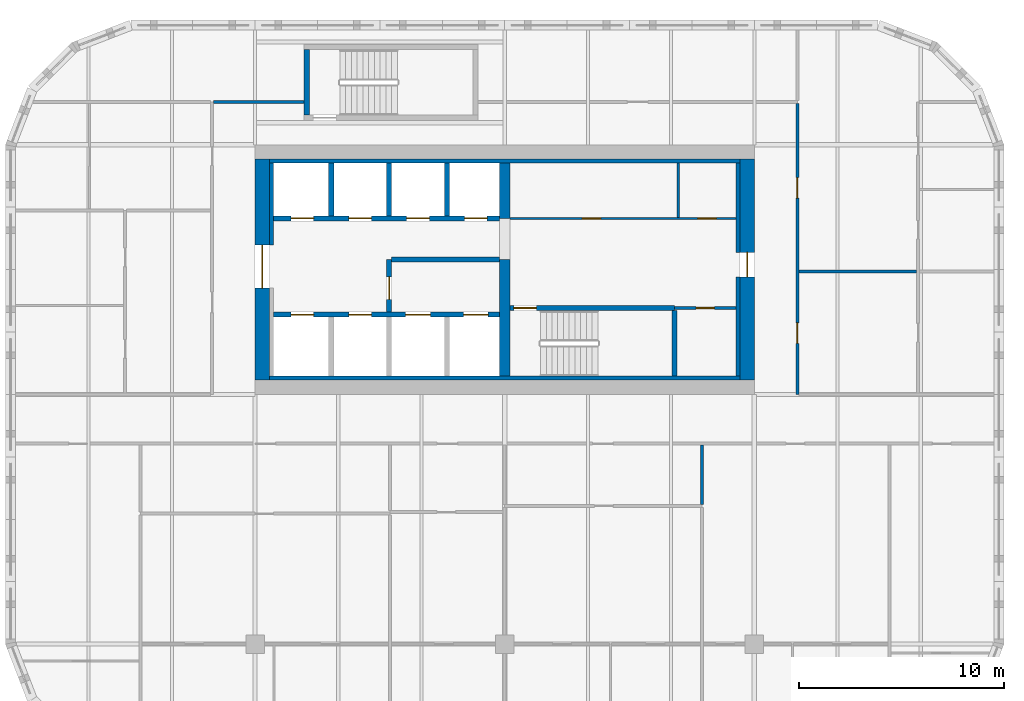
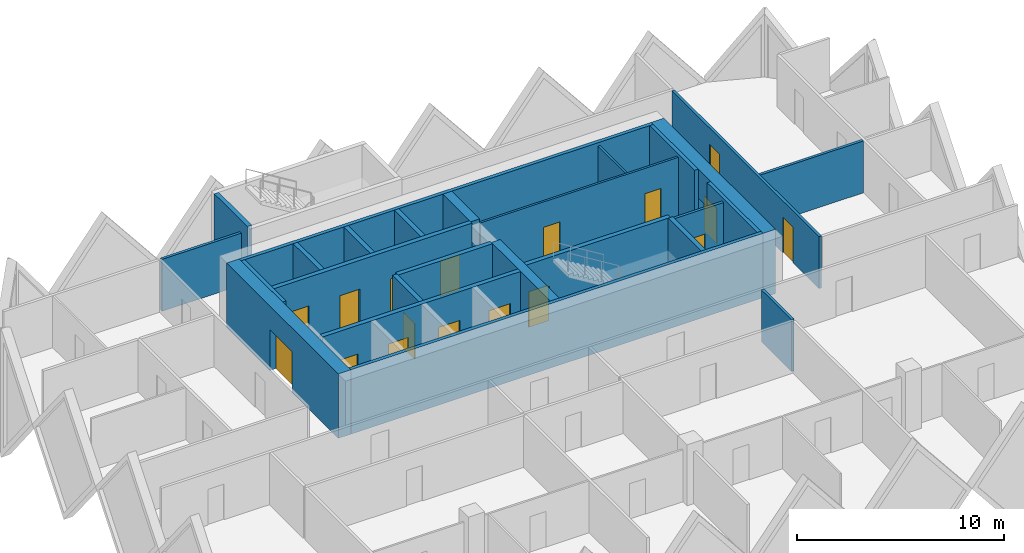
# One storey, part 14 of 19: 26 walls, 17 doors, 17 openings.
"""IFC4 building model written with IfcOpenShell, lengths in metres."""

import ifcopenshell
import ifcopenshell.guid

model = None  # the IFC model being written
_history = None  # IfcOwnerHistory: only IFC2X3 demands one
_inside = {}  # id of a spatial element -> (the spatial element, [elements in it])
_under = {}  # id of a project, library or spatial element -> (it, [spatial elements below it])
_declared = {}  # id of a project -> (the project, [libraries it declares])
_typed = {}  # id of a type object -> (the type object, [elements of that type])
_made_of = {}  # id of a material, layer set ... -> (it, [elements and type objects made of it])


def new_model(schema):
    """Start an empty IFC model of exactly this schema.

    Asked for "IFC4X3", IfcOpenShell would pick the latest addendum, in which some entities
    have other attributes; the version numbers below select the first issue.
    IFC2X3 requires an IfcOwnerHistory on every rooted entity: one is made here for all.
    """
    global model, _history
    if schema == "IFC4X3":
        model = ifcopenshell.file(schema_version=(4, 3, 0, 0))
    else:
        model = ifcopenshell.file(schema=schema)
    _inside.clear()
    _under.clear()
    _declared.clear()
    _typed.clear()
    _made_of.clear()
    _history = None
    if model.schema == "IFC2X3":
        org = make("IfcOrganization", Name="unknown")
        user = make(
            "IfcPersonAndOrganization",
            ThePerson=make("IfcPerson", FamilyName="unknown"),
            TheOrganization=org,
        )
        app = make(
            "IfcApplication",
            ApplicationDeveloper=org,
            Version="unknown",
            ApplicationFullName="unknown",
            ApplicationIdentifier="unknown",
        )
        _history = make(
            "IfcOwnerHistory",
            OwningUser=user,
            OwningApplication=app,
            ChangeAction="ADDED",
            CreationDate=0,
        )
    return model


def make(cls, **values):
    """One entity of the class cls with the attributes given. An attribute that is None is left unset."""
    return model.create_entity(
        cls, **{name: value for name, value in values.items() if value is not None}
    )


def rooted(cls, **values):
    """An entity with a GlobalId (a new one), such as an element, a storey or a relation."""
    return make(cls, GlobalId=ifcopenshell.guid.new(), OwnerHistory=_history, **values)


def si_unit(unit_type, name, prefix=None):
    """IfcSIUnit, for example si_unit("LENGTHUNIT", "METRE", prefix="MILLI")."""
    return make("IfcSIUnit", UnitType=unit_type, Prefix=prefix, Name=name)


def assignment(units):
    """IfcUnitAssignment: the units of a project."""
    return None if units is None else make("IfcUnitAssignment", Units=units)


def point(xyz):
    """IfcCartesianPoint."""
    return None if xyz is None else make("IfcCartesianPoint", Coordinates=xyz)


def direction(xyz):
    """IfcDirection."""
    return None if xyz is None else make("IfcDirection", DirectionRatios=xyz)


def frame(location, z_axis=None, x_axis=None):
    """IfcAxis2Placement3D, a coordinate frame: its origin and axes. An axis left out is left unset."""
    return make(
        "IfcAxis2Placement3D",
        Location=point(location),
        Axis=direction(z_axis),
        RefDirection=direction(x_axis),
    )


def frame_2d(location, x_axis=None):
    """IfcAxis2Placement2D, a coordinate frame in the plane: its origin and x axis."""
    return make(
        "IfcAxis2Placement2D", Location=point(location), RefDirection=direction(x_axis)
    )


def origin():
    """The frame at (0, 0, 0) with its axes left unset."""
    return frame((0.0, 0.0, 0.0))


def place(relative_to, where):
    """IfcLocalPlacement: puts the frame where relative to a parent placement (None: the world)."""
    return make(
        "IfcLocalPlacement", PlacementRelTo=relative_to, RelativePlacement=where
    )


def context(
    kind, dimensions, precision=None, world=None, true_north=None, identifier=None
):
    """IfcGeometricRepresentationContext, for example the 3D "Model" context."""
    return make(
        "IfcGeometricRepresentationContext",
        ContextIdentifier=identifier,
        ContextType=kind,
        CoordinateSpaceDimension=dimensions,
        Precision=precision,
        WorldCoordinateSystem=world,
        TrueNorth=true_north,
    )


def subcontext(parent, identifier, kind, view, scale=None):
    """IfcGeometricRepresentationSubContext, for example "Body" below "Model"."""
    return make(
        "IfcGeometricRepresentationSubContext",
        ContextIdentifier=identifier,
        ContextType=kind,
        ParentContext=parent,
        TargetScale=scale,
        TargetView=view,
    )


def project(units=None, contexts=None):
    """IfcProject with its units and contexts."""
    return rooted(
        "IfcProject",
        Name="project",
        RepresentationContexts=contexts,
        UnitsInContext=assignment(units),
    )


def spatial(cls, under=None, at=None, **own):
    """A site, building, storey or space (cls), placed at a placement, below another one or the project."""
    s = rooted(cls, ObjectPlacement=at, **own)
    if under is not None:
        _under.setdefault(under.id(), (under, []))[1].append(s)
    return s


def profile(cls, at=None, kind="AREA", **sizes):
    """A parametric profile (cls). Its sizes go by their IFC names, for example OverallWidth=200.0."""
    return make(cls, ProfileType=kind, Position=at, **sizes)


def rectangle(**sizes):
    """IfcRectangleProfileDef."""
    return profile("IfcRectangleProfileDef", **sizes)


def extrude(swept, where, along, depth):
    """IfcExtrudedAreaSolid: the profile swept, set in the frame where, extruded along a direction by depth."""
    return make(
        "IfcExtrudedAreaSolid",
        SweptArea=swept,
        Position=where,
        ExtrudedDirection=direction(along),
        Depth=depth,
    )


def shape(context_of_items, identifier, shape_type, items):
    """IfcShapeRepresentation: the items that make up one representation, for example the "Body"."""
    return make(
        "IfcShapeRepresentation",
        ContextOfItems=context_of_items,
        RepresentationIdentifier=identifier,
        RepresentationType=shape_type,
        Items=items,
    )


def source(mapping_origin, context_of_items, identifier, shape_type, items):
    """IfcRepresentationMap: a shape defined once, which mapped items show again and again."""
    return make(
        "IfcRepresentationMap",
        MappingOrigin=mapping_origin,
        MappedRepresentation=shape(context_of_items, identifier, shape_type, items),
    )


def transform(
    local_origin,
    x_axis=None,
    y_axis=None,
    z_axis=None,
    scale=None,
    scale2=None,
    scale3=None,
    uniform=True,
):
    """IfcCartesianTransformationOperator3D, or its non-uniform kind. x_axis, y_axis, z_axis: its Axis1, 2, 3."""
    if uniform:
        return make(
            "IfcCartesianTransformationOperator3D",
            Axis1=direction(x_axis),
            Axis2=direction(y_axis),
            LocalOrigin=point(local_origin),
            Scale=scale,
            Axis3=direction(z_axis),
        )
    return make(
        "IfcCartesianTransformationOperator3DnonUniform",
        Axis1=direction(x_axis),
        Axis2=direction(y_axis),
        LocalOrigin=point(local_origin),
        Scale=scale,
        Axis3=direction(z_axis),
        Scale2=scale2,
        Scale3=scale3,
    )


def mapped(mapping_source, mapping_target):
    """IfcMappedItem: shows the shape of a source again, moved by a transform."""
    return make(
        "IfcMappedItem", MappingSource=mapping_source, MappingTarget=mapping_target
    )


def material(Name=None, Category=None):
    """IfcMaterial."""
    return make("IfcMaterial", Name=Name, Category=Category)


def layer(
    of_material, thickness, ventilated=None, Name=None, Category=None, Priority=None
):
    """IfcMaterialLayer: one layer of a wall or slab, of a material (None: an air gap)."""
    return make(
        "IfcMaterialLayer",
        Material=of_material,
        LayerThickness=thickness,
        IsVentilated=ventilated,
        Name=Name,
        Category=Category,
        Priority=Priority,
    )


def layer_set(layers, Name=None):
    """IfcMaterialLayerSet."""
    return make("IfcMaterialLayerSet", MaterialLayers=layers, LayerSetName=Name)


def made_of(thing, what):
    """Note that an element or type object is made of a material, layer set ...; save() writes the relation."""
    if what is not None:
        _made_of.setdefault(what.id(), (what, []))[1].append(thing)
    return thing


def type_object(cls, material=None, **own):
    """A type object (cls), such as IfcWallType, which elements share."""
    return made_of(rooted(cls, **own), material)


def element(
    cls,
    number,
    at=None,
    inside=None,
    cuts=None,
    type_object=None,
    material=None,
    context=None,
    identifier="Body",
    shape_type=None,
    held_by="IfcProductDefinitionShape",
    body=None,
    shapes=None,
    **own,
):
    """One element of the class cls, such as IfcWall. Its Tag is "e" and its number.

    at: its placement. inside: the storey or other place that contains it. cuts: it is an
    opening in that element (IfcRelVoidsElement). A single representation is given by context,
    identifier, shape_type and body (its items); several are given by shapes. held_by: the class
    of the entity that holds the representations. save() writes the other relations.
    """
    e = rooted(cls, Tag="e%d" % number, ObjectPlacement=at, **own)
    if body is not None:
        shapes = [shape(context, identifier, shape_type, body)]
    if shapes is not None:
        e.Representation = make(held_by, Representations=shapes)
    if inside is not None:
        _inside.setdefault(inside.id(), (inside, []))[1].append(e)
    if cuts is not None:
        rooted(
            "IfcRelVoidsElement", RelatingBuildingElement=cuts, RelatedOpeningElement=e
        )
    if type_object is not None:
        _typed.setdefault(type_object.id(), (type_object, []))[1].append(e)
    return made_of(e, material)


def fill(opening, filler):
    """IfcRelFillsElement: the door or window that sits in an opening."""
    return rooted(
        "IfcRelFillsElement",
        RelatingOpeningElement=opening,
        RelatedBuildingElement=filler,
    )


def aggregate(whole, parts):
    """IfcRelAggregates: a whole, such as a stair, and the parts it consists of."""
    return rooted("IfcRelAggregates", RelatingObject=whole, RelatedObjects=parts)


def save(model, path):
    """Write the relations noted so far, then the file.

    IfcRelAggregates (storeys below a building ...), IfcRelContainedInSpatialStructure (elements
    in a storey), IfcRelDefinesByType, IfcRelAssociatesMaterial and IfcRelDeclares: one each for
    every whole, place, type object, material and project.
    """
    for whole, parts in _under.values():
        aggregate(whole, parts)
    for where, things in _inside.values():
        rooted(
            "IfcRelContainedInSpatialStructure",
            RelatedElements=things,
            RelatingStructure=where,
        )
    for kind, things in _typed.values():
        rooted("IfcRelDefinesByType", RelatedObjects=things, RelatingType=kind)
    for what, things in _made_of.values():
        rooted("IfcRelAssociatesMaterial", RelatedObjects=things, RelatingMaterial=what)
    for by, libraries in _declared.values():
        rooted("IfcRelDeclares", RelatingContext=by, RelatedDefinitions=libraries)
    model.write(path)


model = new_model("IFC4")

# Units and contexts
model_context = context("Model", 3, precision=1e-05, world=origin(), true_north=direction((0.0, 1.0)))
body_context = subcontext(model_context, "Body", "Model", "MODEL_VIEW")
ifc_project = project(units=[si_unit("LENGTHUNIT", "METRE"), si_unit("AREAUNIT", "SQUARE_METRE"), si_unit("VOLUMEUNIT", "CUBIC_METRE"), si_unit("PLANEANGLEUNIT", "RADIAN"), si_unit("MASSUNIT", "GRAM", prefix="KILO")], contexts=[model_context])

# Site, building, storey
site_placement = place(None, origin())
site = spatial("IfcSite", under=ifc_project, at=site_placement, CompositionType="ELEMENT")
building_placement = place(site_placement, origin())
building = spatial("IfcBuilding", under=site, at=building_placement, Name="Tessera Gate Towers", CompositionType="ELEMENT")
storey_placement = place(building_placement, frame((0.0, 0.0, 29.60009765625)))
storey = spatial("IfcBuildingStorey", under=building, at=storey_placement, Name="L06", CompositionType="ELEMENT", Elevation=29.60009765625)

# Wall, openings, doors
ifc_material_1 = material(Name="Concrete C40/50", Category="concrete")
ifc_layer_1 = layer(ifc_material_1, 0.25)
ifc_layer_set_1 = layer_set([ifc_layer_1], Name="CORE ENCLOSURE WALL 250")
wall_type_1 = type_object("IfcWallType", Name="CORE ENCLOSURE WALL 250", PredefinedType="SOLIDWALL", material=ifc_layer_set_1)
wall_1_placement = place(storey_placement, frame((98.5, 40.5, 0.0), z_axis=(0.0, 0.0, 1.0), x_axis=(1.0, 0.0, 0.0)))
wall_1 = element("IfcWall", 1, at=wall_1_placement, inside=storey, type_object=wall_type_1, Name="L06 shaft and stair enclosure wall", PredefinedType="SOLIDWALL", context=body_context, shape_type="SweptSolid", body=[
    extrude(rectangle(XDim=11.050048828125, YDim=0.25, at=frame_2d((5.52490234375, 0.0))), origin(), (0.0, 0.0, 1.0), 3.7998046875),
])
shared_shape_1 = source(origin(), body_context, "Body", "SweptSolid", [
    extrude(rectangle(XDim=1.10009765625, YDim=2.10009765625, at=frame_2d((0.550048828125, 1.050048828125))), frame((0.0, 0.135009765625, 0.0), z_axis=(0.0, -1.0, 0.0), x_axis=(1.0, 0.0, 0.0)), (0.0, 0.0, 1.0), 0.27001953125),
])
opening_1_placement = place(wall_1_placement, frame((0.862548828125, 0.0, 0.0)))
opening_1 = element("IfcOpeningElement", 2, at=opening_1_placement, cuts=wall_1, Name="Opening LD-TL1", PredefinedType="OPENING", context=body_context, shape_type="MappedRepresentation", body=[
    mapped(shared_shape_1, transform((0.0, 0.0, 0.0), scale=1.0)),
])
opening_2_placement = place(wall_1_placement, frame((3.6875, 0.0, 0.0)))
opening_2 = element("IfcOpeningElement", 3, at=opening_2_placement, cuts=wall_1, Name="Opening LD-TL2", PredefinedType="OPENING", context=body_context, shape_type="MappedRepresentation", body=[
    mapped(shared_shape_1, transform((0.0, 0.0, 0.0), scale=1.0)),
])
shared_shape_2 = source(origin(), body_context, "Body", "SweptSolid", [
    extrude(rectangle(XDim=1.199951171875, YDim=2.10009765625, at=frame_2d((0.60009765625, 1.050048828125))), frame((0.0, 0.135009765625, 0.0), z_axis=(0.0, -1.0, 0.0), x_axis=(1.0, 0.0, 0.0)), (0.0, 0.0, 1.0), 0.27001953125),
])
opening_3_placement = place(wall_1_placement, frame((6.46240234375, 0.0, 0.0)))
opening_3 = element("IfcOpeningElement", 4, at=opening_3_placement, cuts=wall_1, Name="Opening LD-FF3", PredefinedType="OPENING", context=body_context, shape_type="MappedRepresentation", body=[
    mapped(shared_shape_2, transform((0.0, 0.0, 0.0), scale=1.0)),
])
opening_4_placement = place(wall_1_placement, frame((9.28759765625, 0.0, 0.0)))
opening_4 = element("IfcOpeningElement", 5, at=opening_4_placement, cuts=wall_1, Name="Opening LD-FF4", PredefinedType="OPENING", context=body_context, shape_type="MappedRepresentation", body=[
    mapped(shared_shape_2, transform((0.0, 0.0, 0.0), scale=1.0)),
])
ifc_material_2 = material(Name="Stainless steel", Category="steel")
door_type_1 = type_object("IfcDoorType", Name="CORE DOOR LD1200 1200x2100", OperationType="DOUBLE_DOOR_SLIDING", PredefinedType="DOOR", material=ifc_material_2)
shared_shape_3 = source(origin(), body_context, "Body", "SweptSolid", [
    extrude(rectangle(XDim=1.199951171875, YDim=2.10009765625, at=frame_2d((0.60009765625, 1.050048828125))), frame((0.0, 0.02490234375, 0.0), z_axis=(0.0, -1.0, 0.0), x_axis=(1.0, 0.0, 0.0)), (0.0, 0.0, 1.0), 0.050048828125),
])
door_1_placement = place(opening_3_placement, origin())
door_1 = element("IfcDoor", 6, at=door_1_placement, inside=storey, type_object=door_type_1, Name="Landing door FF3 L06", OperationType="DOUBLE_DOOR_SLIDING", OverallHeight=2.10009765625, OverallWidth=1.199951171875, PredefinedType="DOOR", context=body_context, shape_type="MappedRepresentation", body=[
    mapped(shared_shape_3, transform((0.0, 0.0, 0.0), scale=1.0)),
])
fill(opening_3, door_1)
door_2_placement = place(opening_4_placement, origin())
door_2 = element("IfcDoor", 7, at=door_2_placement, inside=storey, type_object=door_type_1, Name="Landing door FF4 L06", OperationType="DOUBLE_DOOR_SLIDING", OverallHeight=2.10009765625, OverallWidth=1.199951171875, PredefinedType="DOOR", context=body_context, shape_type="MappedRepresentation", body=[
    mapped(shared_shape_3, transform((0.0, 0.0, 0.0), scale=1.0)),
])
fill(opening_4, door_2)
ifc_material_3 = material(Name="Stainless steel", Category="steel")
door_type_2 = type_object("IfcDoorType", Name="CORE DOOR LD 1100x2100", OperationType="DOUBLE_DOOR_SLIDING", PredefinedType="DOOR", material=ifc_material_3)
shared_shape_4 = source(origin(), body_context, "Body", "SweptSolid", [
    extrude(rectangle(XDim=1.10009765625, YDim=2.10009765625, at=frame_2d((0.550048828125, 1.050048828125))), frame((0.0, 0.02490234375, 0.0), z_axis=(0.0, -1.0, 0.0), x_axis=(1.0, 0.0, 0.0)), (0.0, 0.0, 1.0), 0.050048828125),
])
door_3_placement = place(opening_1_placement, origin())
door_3 = element("IfcDoor", 8, at=door_3_placement, inside=storey, type_object=door_type_2, Name="Landing door TL1 L06", OperationType="DOUBLE_DOOR_SLIDING", OverallHeight=2.10009765625, OverallWidth=1.10009765625, PredefinedType="DOOR", context=body_context, shape_type="MappedRepresentation", body=[
    mapped(shared_shape_4, transform((0.0, 0.0, 0.0), scale=1.0)),
])
fill(opening_1, door_3)
door_4_placement = place(opening_2_placement, origin())
door_4 = element("IfcDoor", 9, at=door_4_placement, inside=storey, type_object=door_type_2, Name="Landing door TL2 L06", OperationType="DOUBLE_DOOR_SLIDING", OverallHeight=2.10009765625, OverallWidth=1.10009765625, PredefinedType="DOOR", context=body_context, shape_type="MappedRepresentation", body=[
    mapped(shared_shape_4, transform((0.0, 0.0, 0.0), scale=1.0)),
])
fill(opening_2, door_4)

wall_2_placement = place(storey_placement, frame((109.550048828125, 45.199951171875, 0.0), z_axis=(0.0, 0.0, 1.0), x_axis=(-1.0, 0.0, 0.0)))
wall_2 = element("IfcWall", 10, at=wall_2_placement, inside=storey, type_object=wall_type_1, Name="L06 shaft and stair enclosure wall", PredefinedType="SOLIDWALL", context=body_context, shape_type="SweptSolid", body=[
    extrude(rectangle(XDim=11.050048828125, YDim=0.25, at=frame_2d((5.52490234375, 0.0))), origin(), (0.0, 0.0, 1.0), 3.7998046875),
])
opening_5_placement = place(wall_2_placement, frame((9.08740234375, 0.0, 0.0)))
opening_5 = element("IfcOpeningElement", 11, at=opening_5_placement, cuts=wall_2, Name="Opening LD-TL3", PredefinedType="OPENING", context=body_context, shape_type="MappedRepresentation", body=[
    mapped(shared_shape_1, transform((0.0, 0.0, 0.0), scale=1.0)),
])
opening_6_placement = place(wall_2_placement, frame((6.262451171875, 0.0, 0.0)))
opening_6 = element("IfcOpeningElement", 12, at=opening_6_placement, cuts=wall_2, Name="Opening LD-TL4", PredefinedType="OPENING", context=body_context, shape_type="MappedRepresentation", body=[
    mapped(shared_shape_1, transform((0.0, 0.0, 0.0), scale=1.0)),
])
opening_7_placement = place(wall_2_placement, frame((3.4375, 0.0, 0.0)))
opening_7 = element("IfcOpeningElement", 13, at=opening_7_placement, cuts=wall_2, Name="Opening LD-TL5", PredefinedType="OPENING", context=body_context, shape_type="MappedRepresentation", body=[
    mapped(shared_shape_1, transform((0.0, 0.0, 0.0), scale=1.0)),
])
opening_8_placement = place(wall_2_placement, frame((0.612548828125, 0.0, 0.0)))
opening_8 = element("IfcOpeningElement", 14, at=opening_8_placement, cuts=wall_2, Name="Opening LD-TL6", PredefinedType="OPENING", context=body_context, shape_type="MappedRepresentation", body=[
    mapped(shared_shape_1, transform((0.0, 0.0, 0.0), scale=1.0)),
])
door_5_placement = place(opening_5_placement, origin())
door_5 = element("IfcDoor", 15, at=door_5_placement, inside=storey, type_object=door_type_2, Name="Landing door TL3 L06", OperationType="DOUBLE_DOOR_SLIDING", OverallHeight=2.10009765625, OverallWidth=1.10009765625, PredefinedType="DOOR", context=body_context, shape_type="MappedRepresentation", body=[
    mapped(shared_shape_4, transform((0.0, 0.0, 0.0), scale=1.0)),
])
fill(opening_5, door_5)
door_6_placement = place(opening_6_placement, origin())
door_6 = element("IfcDoor", 16, at=door_6_placement, inside=storey, type_object=door_type_2, Name="Landing door TL4 L06", OperationType="DOUBLE_DOOR_SLIDING", OverallHeight=2.10009765625, OverallWidth=1.10009765625, PredefinedType="DOOR", context=body_context, shape_type="MappedRepresentation", body=[
    mapped(shared_shape_4, transform((0.0, 0.0, 0.0), scale=1.0)),
])
fill(opening_6, door_6)
door_7_placement = place(opening_7_placement, origin())
door_7 = element("IfcDoor", 17, at=door_7_placement, inside=storey, type_object=door_type_2, Name="Landing door TL5 L06", OperationType="DOUBLE_DOOR_SLIDING", OverallHeight=2.10009765625, OverallWidth=1.10009765625, PredefinedType="DOOR", context=body_context, shape_type="MappedRepresentation", body=[
    mapped(shared_shape_4, transform((0.0, 0.0, 0.0), scale=1.0)),
])
fill(opening_7, door_7)
door_8_placement = place(opening_8_placement, origin())
door_8 = element("IfcDoor", 18, at=door_8_placement, inside=storey, type_object=door_type_2, Name="Landing door TL6 L06", OperationType="DOUBLE_DOOR_SLIDING", OverallHeight=2.10009765625, OverallWidth=1.10009765625, PredefinedType="DOOR", context=body_context, shape_type="MappedRepresentation", body=[
    mapped(shared_shape_4, transform((0.0, 0.0, 0.0), scale=1.0)),
])
fill(opening_8, door_8)

# Wall, opening, door
wall_3_placement = place(storey_placement, frame((118.10009765625, 40.824951171875, 0.0), z_axis=(0.0, 0.0, 1.0), x_axis=(-1.0, 0.0, 0.0)))
wall_3 = element("IfcWall", 19, at=wall_3_placement, inside=storey, type_object=wall_type_1, Name="L06 shaft and stair enclosure wall", PredefinedType="SOLIDWALL", context=body_context, shape_type="SweptSolid", body=[
    extrude(rectangle(XDim=8.050048828125, YDim=0.25, at=frame_2d((4.02490234375, 0.0))), origin(), (0.0, 0.0, 1.0), 3.7998046875),
])
opening_9_placement = place(wall_3_placement, frame((6.75, 0.0, 0.0)))
opening_9 = element("IfcOpeningElement", 20, at=opening_9_placement, cuts=wall_3, Name="Opening SD-ST6-1", PredefinedType="OPENING", context=body_context, shape_type="MappedRepresentation", body=[
    mapped(shared_shape_1, transform((0.0, 0.0, 0.0), scale=1.0)),
])
ifc_material_4 = material(Name="Hollow steel fire door", Category="steel")
door_type_3 = type_object("IfcDoorType", Name="CORE DOOR SD1100 1100x2100", OperationType="NOTDEFINED", PredefinedType="DOOR", material=ifc_material_4)
door_9_placement = place(opening_9_placement, origin())
door_9 = element("IfcDoor", 21, at=door_9_placement, inside=storey, type_object=door_type_3, Name="Stair door", OperationType="SINGLE_SWING_RIGHT", OverallHeight=2.10009765625, OverallWidth=1.10009765625, PredefinedType="DOOR", context=body_context, shape_type="MappedRepresentation", body=[
    mapped(shared_shape_4, transform((0.0, 0.0, 0.0), scale=1.0)),
])
fill(opening_9, door_9)

wall_4_placement = place(storey_placement, frame((104.14990234375, 43.199951171875, 0.0), z_axis=(0.0, 0.0, 1.0), x_axis=(0.0, -1.0, 0.0)))
wall_4 = element("IfcWall", 22, at=wall_4_placement, inside=storey, type_object=wall_type_1, Name="L06 shaft and stair enclosure wall", PredefinedType="SOLIDWALL", context=body_context, shape_type="SweptSolid", body=[
    extrude(rectangle(XDim=2.574951171875, YDim=0.25, at=frame_2d((1.28759765625, 0.0))), origin(), (0.0, 0.0, 1.0), 3.7998046875),
])
opening_10_placement = place(wall_4_placement, frame((0.85009765625, 0.0, 0.0)))
opening_10 = element("IfcOpeningElement", 23, at=opening_10_placement, cuts=wall_4, Name="Opening FD-T2-06-03", PredefinedType="OPENING", context=body_context, shape_type="MappedRepresentation", body=[
    mapped(shared_shape_1, transform((0.0, 0.0, 0.0), scale=1.0)),
])
ifc_material_5 = material(Name="Hollow steel fire door", Category="steel")
door_type_4 = type_object("IfcDoorType", Name="CORE DOOR FD 1100x2100", OperationType="NOTDEFINED", PredefinedType="DOOR", material=ifc_material_5)
door_10_placement = place(opening_10_placement, origin())
door_10 = element("IfcDoor", 24, at=door_10_placement, inside=storey, type_object=door_type_4, Name="Fire-fighting lobby door", OperationType="SINGLE_SWING_RIGHT", OverallHeight=2.10009765625, OverallWidth=1.10009765625, PredefinedType="DOOR", context=body_context, shape_type="MappedRepresentation", body=[
    mapped(shared_shape_4, transform((0.0, 0.0, 0.0), scale=1.0)),
])
fill(opening_10, door_10)

# Walls
wall_5_placement = place(storey_placement, frame((104.27490234375, 43.199951171875, 0.0), z_axis=(0.0, 0.0, 1.0), x_axis=(1.0, 0.0, 0.0)))
element("IfcWall", 25, at=wall_5_placement, inside=storey, type_object=wall_type_1, Name="L06 shaft and stair enclosure wall", PredefinedType="SOLIDWALL", context=body_context, shape_type="SweptSolid", body=[
    extrude(rectangle(XDim=5.275146484375, YDim=0.25, at=frame_2d((2.6376953125, 0.0))), origin(), (0.0, 0.0, 1.0), 3.7998046875),
])
wall_6_placement = place(storey_placement, frame((118.10009765625, 37.5, 0.0), z_axis=(0.0, 0.0, 1.0), x_axis=(0.0, 1.0, 0.0)))
element("IfcWall", 26, at=wall_6_placement, inside=storey, type_object=wall_type_1, Name="L06 shaft and stair enclosure wall", PredefinedType="SOLIDWALL", context=body_context, shape_type="SweptSolid", body=[
    extrude(rectangle(XDim=3.199951171875, YDim=0.25, at=frame_2d((1.60009765625, 0.0))), origin(), (0.0, 0.0, 1.0), 3.7998046875),
])
for number, where, z_axis, x_axis, name in (
    (27, (101.324951171875, 45.324951171875, 0.0), (0.0, 0.0, 1.0), (0.0, 1.0, 0.0), "L06 shaft and stair enclosure wall"),
    (28, (104.14990234375, 45.324951171875, 0.0), (0.0, 0.0, 1.0), (0.0, 1.0, 0.0), "L06 shaft and stair enclosure wall"),
    (29, (106.97509765625, 45.324951171875, 0.0), (0.0, 0.0, 1.0), (0.0, 1.0, 0.0), "L06 shaft and stair enclosure wall"),
):
    element("IfcWall", number, at=place(storey_placement, frame(where, z_axis=z_axis, x_axis=x_axis)), inside=storey, type_object=wall_type_1, Name=name, PredefinedType="SOLIDWALL", context=body_context, shape_type="SweptSolid", body=[
        extrude(rectangle(XDim=2.574951171875, YDim=0.25, at=frame_2d((1.28759765625, 0.0))), origin(), (0.0, 0.0, 1.0), 3.7998046875),
    ])
wall_7_placement = place(storey_placement, frame((100.125, 50.25, 0.0), z_axis=(0.0, 0.0, 1.0), x_axis=(0.0, 1.0, 0.0)))
element("IfcWall", 30, at=wall_7_placement, inside=storey, type_object=wall_type_1, Name="L06 ST7 enclosure wall", PredefinedType="SOLIDWALL", context=body_context, shape_type="SweptSolid", body=[
    extrude(rectangle(XDim=3.199951171875, YDim=0.25, at=frame_2d((1.60009765625, 0.0))), origin(), (0.0, 0.0, 1.0), 3.7998046875),
])

# Wall, openings, doors
ifc_material_6 = material(Name="Gypsum board on steel studs", Category="steel")
ifc_layer_2 = layer(ifc_material_6, 0.1201171875)
ifc_layer_set_2 = layer_set([ifc_layer_2], Name="CORE PARTITION 120")
wall_type_2 = type_object("IfcWallType", Name="CORE PARTITION 120", PredefinedType="PARTITIONING", material=ifc_layer_set_2)
wall_8_placement = place(storey_placement, frame((110.050048828125, 45.199951171875, 0.0), z_axis=(0.0, 0.0, 1.0), x_axis=(1.0, 0.0, 0.0)))
wall_8 = element("IfcWall", 31, at=wall_8_placement, inside=storey, type_object=wall_type_2, Name="L06 core partition", PredefinedType="PARTITIONING", context=body_context, shape_type="SweptSolid", body=[
    extrude(rectangle(XDim=11.050048828125, YDim=0.1201171875, at=frame_2d((5.52490234375, 0.0))), origin(), (0.0, 0.0, 1.0), 3.599853515625),
])
shared_shape_5 = source(origin(), body_context, "Body", "SweptSolid", [
    extrude(rectangle(XDim=0.89990234375, YDim=2.10009765625, at=frame_2d((0.449951171875, 1.050048828125))), frame((0.0, 0.070068359375, 0.0), z_axis=(0.0, -1.0, 0.0), x_axis=(1.0, 0.0, 0.0)), (0.0, 0.0, 1.0), 0.14013671875),
])
opening_11_placement = place(wall_8_placement, frame((3.53759765625, 0.0, 0.0)))
opening_11 = element("IfcOpeningElement", 32, at=opening_11_placement, cuts=wall_8, Name="Opening RD-T2-06-04", PredefinedType="OPENING", context=body_context, shape_type="MappedRepresentation", body=[
    mapped(shared_shape_5, transform((0.0, 0.0, 0.0), scale=1.0)),
])
opening_12_placement = place(wall_8_placement, frame((9.1875, 0.0, 0.0)))
opening_12 = element("IfcOpeningElement", 33, at=opening_12_placement, cuts=wall_8, Name="Opening RD-T2-06-05", PredefinedType="OPENING", context=body_context, shape_type="MappedRepresentation", body=[
    mapped(shared_shape_5, transform((0.0, 0.0, 0.0), scale=1.0)),
])
ifc_material_7 = material(Name="Hollow steel fire door", Category="steel")
door_type_5 = type_object("IfcDoorType", Name="CORE DOOR RD 900x2100", OperationType="NOTDEFINED", PredefinedType="DOOR", material=ifc_material_7)
shared_shape_6 = source(origin(), body_context, "Body", "SweptSolid", [
    extrude(rectangle(XDim=0.89990234375, YDim=2.10009765625, at=frame_2d((0.449951171875, 1.050048828125))), frame((0.0, 0.02490234375, 0.0), z_axis=(0.0, -1.0, 0.0), x_axis=(1.0, 0.0, 0.0)), (0.0, 0.0, 1.0), 0.050048828125),
])
door_11_placement = place(opening_11_placement, origin())
door_11 = element("IfcDoor", 34, at=door_11_placement, inside=storey, type_object=door_type_5, Name="Core room door", OperationType="SINGLE_SWING_LEFT", OverallHeight=2.10009765625, OverallWidth=0.89990234375, PredefinedType="DOOR", context=body_context, shape_type="MappedRepresentation", body=[
    mapped(shared_shape_6, transform((0.0, 0.0, 0.0), scale=1.0)),
])
fill(opening_11, door_11)
door_12_placement = place(opening_12_placement, origin())
door_12 = element("IfcDoor", 35, at=door_12_placement, inside=storey, type_object=door_type_5, Name="Core room door", OperationType="SINGLE_SWING_RIGHT", OverallHeight=2.10009765625, OverallWidth=0.89990234375, PredefinedType="DOOR", context=body_context, shape_type="MappedRepresentation", body=[
    mapped(shared_shape_6, transform((0.0, 0.0, 0.0), scale=1.0)),
])
fill(opening_12, door_12)

# Wall
wall_9_placement = place(storey_placement, frame((118.27490234375, 45.260009765625, 0.0), z_axis=(0.0, 0.0, 1.0), x_axis=(0.0, 1.0, 0.0)))
element("IfcWall", 36, at=wall_9_placement, inside=storey, type_object=wall_type_2, Name="L06 core partition", PredefinedType="PARTITIONING", context=body_context, shape_type="SweptSolid", body=[
    extrude(rectangle(XDim=2.639892578125, YDim=0.1201171875, at=frame_2d((1.31982421875, 0.0))), origin(), (0.0, 0.0, 1.0), 3.599853515625),
])

# Wall, opening, door
ifc_material_8 = material(Name="Concrete C60/75", Category="concrete")
ifc_layer_3 = layer(ifc_material_8, 0.699951171875)
ifc_layer_set_3 = layer_set([ifc_layer_3], Name="CORE SHEAR WALL 700 C60/75")
wall_type_3 = type_object("IfcWallType", Name="CORE SHEAR WALL 700 C60/75", PredefinedType="SHEAR", material=ifc_layer_set_3)
wall_10_placement = place(storey_placement, frame((97.949951171875, 37.300048828125, 0.0), z_axis=(0.0, 0.0, 1.0), x_axis=(0.0, 1.0, 0.0)))
wall_10 = element("IfcWall", 37, at=wall_10_placement, inside=storey, type_object=wall_type_3, Name="Core wall W L06", PredefinedType="SHEAR", context=body_context, shape_type="SweptSolid", body=[
    extrude(rectangle(XDim=10.800048828125, YDim=0.699951171875, at=frame_2d((5.39990234375, 0.0))), origin(), (0.0, 0.0, 1.0), 3.7998046875),
])
shared_shape_7 = source(origin(), body_context, "Body", "SweptSolid", [
    extrude(rectangle(XDim=2.10009765625, YDim=2.39990234375, at=frame_2d((1.050048828125, 1.199951171875))), frame((0.0, 0.35986328125, 0.0), z_axis=(0.0, -1.0, 0.0), x_axis=(1.0, 0.0, 0.0)), (0.0, 0.0, 1.0), 0.719970703125),
])
opening_13_placement = place(wall_10_placement, frame((4.5, 0.0, 0.0)))
opening_13 = element("IfcOpeningElement", 38, at=opening_13_placement, cuts=wall_10, Name="Opening DD-T2-06-01", PredefinedType="OPENING", context=body_context, shape_type="MappedRepresentation", body=[
    mapped(shared_shape_7, transform((0.0, 0.0, 0.0), scale=1.0)),
])
ifc_material_9 = material(Name="Hollow steel fire door", Category="steel")
door_type_6 = type_object("IfcDoorType", Name="CORE DOOR DD 2100x2400", OperationType="NOTDEFINED", PredefinedType="DOOR", material=ifc_material_9)
shared_shape_8 = source(origin(), body_context, "Body", "SweptSolid", [
    extrude(rectangle(XDim=2.10009765625, YDim=2.39990234375, at=frame_2d((1.050048828125, 1.199951171875))), frame((0.0, 0.02490234375, 0.0), z_axis=(0.0, -1.0, 0.0), x_axis=(1.0, 0.0, 0.0)), (0.0, 0.0, 1.0), 0.050048828125),
])
door_13_placement = place(opening_13_placement, origin())
door_13 = element("IfcDoor", 39, at=door_13_placement, inside=storey, type_object=door_type_6, Name="Core entrance door", OperationType="DOUBLE_DOOR_SINGLE_SWING", OverallHeight=2.39990234375, OverallWidth=2.10009765625, PredefinedType="DOOR", context=body_context, shape_type="MappedRepresentation", body=[
    mapped(shared_shape_8, transform((0.0, 0.0, 0.0), scale=1.0)),
])
fill(opening_13, door_13)

wall_11_placement = place(storey_placement, frame((121.64990234375, 48.10009765625, 0.0), z_axis=(0.0, 0.0, 1.0), x_axis=(0.0, -1.0, 0.0)))
wall_11 = element("IfcWall", 40, at=wall_11_placement, inside=storey, type_object=wall_type_3, Name="Core wall E L06", PredefinedType="SHEAR", context=body_context, shape_type="SweptSolid", body=[
    extrude(rectangle(XDim=10.800048828125, YDim=0.699951171875, at=frame_2d((5.39990234375, 0.0))), origin(), (0.0, 0.0, 1.0), 3.7998046875),
])
shared_shape_9 = source(origin(), body_context, "Body", "SweptSolid", [
    extrude(rectangle(XDim=1.199951171875, YDim=2.10009765625, at=frame_2d((0.60009765625, 1.050048828125))), frame((0.0, 0.35986328125, 0.0), z_axis=(0.0, -1.0, 0.0), x_axis=(1.0, 0.0, 0.0)), (0.0, 0.0, 1.0), 0.719970703125),
])
opening_14_placement = place(wall_11_placement, frame((4.550048828125, 0.0, 0.0)))
opening_14 = element("IfcOpeningElement", 41, at=opening_14_placement, cuts=wall_11, Name="Opening ED-T2-06-02", PredefinedType="OPENING", context=body_context, shape_type="MappedRepresentation", body=[
    mapped(shared_shape_9, transform((0.0, 0.0, 0.0), scale=1.0)),
])
ifc_material_10 = material(Name="Hollow steel fire door", Category="steel")
door_type_7 = type_object("IfcDoorType", Name="CORE DOOR ED 1200x2100", OperationType="NOTDEFINED", PredefinedType="DOOR", material=ifc_material_10)
door_14_placement = place(opening_14_placement, origin())
door_14 = element("IfcDoor", 42, at=door_14_placement, inside=storey, type_object=door_type_7, Name="Core exit door", OperationType="SINGLE_SWING_LEFT", OverallHeight=2.10009765625, OverallWidth=1.199951171875, PredefinedType="DOOR", context=body_context, shape_type="MappedRepresentation", body=[
    mapped(shared_shape_3, transform((0.0, 0.0, 0.0), scale=1.0)),
])
fill(opening_14, door_14)

# Walls
ifc_material_11 = material(Name="Concrete C60/75", Category="concrete")
ifc_layer_4 = layer(ifc_material_11, 0.5)
ifc_layer_set_4 = layer_set([ifc_layer_4], Name="CORE SPINE WALL 500 C60/75")
wall_type_4 = type_object("IfcWallType", Name="CORE SPINE WALL 500 C60/75", PredefinedType="SHEAR", material=ifc_layer_set_4)
wall_12_placement = place(storey_placement, frame((109.800048828125, 37.5, 0.0), z_axis=(0.0, 0.0, 1.0), x_axis=(0.0, 1.0, 0.0)))
element("IfcWall", 43, at=wall_12_placement, inside=storey, type_object=wall_type_4, Name="Core wall spine L06", PredefinedType="SHEAR", context=body_context, shape_type="SweptSolid", body=[
    extrude(rectangle(XDim=5.699951171875, YDim=0.5, at=frame_2d((2.85009765625, 0.0))), origin(), (0.0, 0.0, 1.0), 3.7998046875),
])
wall_13_placement = place(storey_placement, frame((109.800048828125, 45.199951171875, 0.0), z_axis=(0.0, 0.0, 1.0), x_axis=(0.0, 1.0, 0.0)))
element("IfcWall", 44, at=wall_13_placement, inside=storey, type_object=wall_type_4, Name="Core wall spine L06", PredefinedType="SHEAR", context=body_context, shape_type="SweptSolid", body=[
    extrude(rectangle(XDim=2.699951171875, YDim=0.5, at=frame_2d((1.35009765625, 0.0))), origin(), (0.0, 0.0, 1.0), 3.7998046875),
])
ifc_material_12 = material(Name="Concrete C60/75", Category="concrete")
ifc_layer_5 = layer(ifc_material_12, 0.199951171875)
ifc_layer_set_5 = layer_set([ifc_layer_5], Name="CORE WALL THICKENING 200")
wall_type_5 = type_object("IfcWallType", Name="CORE WALL THICKENING 200", PredefinedType="SOLIDWALL", material=ifc_layer_set_5)
for number, where, z_axis, x_axis, name in (
    (45, (98.300048828125, 37.39990234375, 0.0), (0.0, 0.0, 1.0), (1.0, 0.0, 0.0), "Core wall thickening S L06"),
    (46, (98.300048828125, 48.0, 0.0), (0.0, 0.0, 1.0), (1.0, 0.0, 0.0), "Core wall thickening N L06"),
):
    element("IfcWall", number, at=place(storey_placement, frame(where, z_axis=z_axis, x_axis=x_axis)), inside=storey, type_object=wall_type_5, Name=name, PredefinedType="SOLIDWALL", context=body_context, shape_type="SweptSolid", body=[
        extrude(rectangle(XDim=23.0, YDim=0.199951171875, at=frame_2d((11.5, 0.0))), origin(), (0.0, 0.0, 1.0), 3.7998046875),
    ])
wall_14_placement = place(storey_placement, frame((98.39990234375, 43.89990234375, 0.0), z_axis=(0.0, 0.0, 1.0), x_axis=(0.0, 1.0, 0.0)))
element("IfcWall", 47, at=wall_14_placement, inside=storey, type_object=wall_type_5, Name="Core wall thickening W L06", PredefinedType="SOLIDWALL", context=body_context, shape_type="SweptSolid", body=[
    extrude(rectangle(XDim=4.0, YDim=0.199951171875, at=frame_2d((2.0, 0.0))), origin(), (0.0, 0.0, 1.0), 3.7998046875),
])
wall_15_placement = place(storey_placement, frame((121.199951171875, 37.5, 0.0), z_axis=(0.0, 0.0, 1.0), x_axis=(0.0, 1.0, 0.0)))
element("IfcWall", 48, at=wall_15_placement, inside=storey, type_object=wall_type_5, Name="Core wall thickening E L06", PredefinedType="SOLIDWALL", context=body_context, shape_type="SweptSolid", body=[
    extrude(rectangle(XDim=4.85009765625, YDim=0.199951171875, at=frame_2d((2.425048828125, 0.0))), origin(), (0.0, 0.0, 1.0), 3.7998046875),
])
wall_16_placement = place(storey_placement, frame((121.199951171875, 43.550048828125, 0.0), z_axis=(0.0, 0.0, 1.0), x_axis=(0.0, 1.0, 0.0)))
element("IfcWall", 49, at=wall_16_placement, inside=storey, type_object=wall_type_5, Name="Core wall thickening E L06", PredefinedType="SOLIDWALL", context=body_context, shape_type="SweptSolid", body=[
    extrude(rectangle(XDim=4.349853515625, YDim=0.199951171875, at=frame_2d((2.1748046875, 0.0))), origin(), (0.0, 0.0, 1.0), 3.7998046875),
])

# Wall, openings, doors
ifc_material_13 = material(Name="Gypsum board on steel studs, mineral wool", Category="steel")
ifc_layer_6 = layer(ifc_material_13, 0.14990234375)
ifc_layer_set_6 = layer_set([ifc_layer_6], Name="CORRIDOR WALL 150")
wall_type_6 = type_object("IfcWallType", Name="CORRIDOR WALL 150", PredefinedType="PARTITIONING", material=ifc_layer_set_6)
wall_17_placement = place(storey_placement, frame((124.10009765625, 50.823974609375, 0.0), z_axis=(0.0, 0.0, 1.0), x_axis=(0.0, -1.0, 0.0)))
wall_17 = element("IfcWall", 50, at=wall_17_placement, inside=storey, type_object=wall_type_6, Name="T2-L06-PW-030", PredefinedType="PARTITIONING", context=body_context, shape_type="SweptSolid", body=[
    extrude(rectangle(XDim=14.223876953125, YDim=0.14990234375, at=frame_2d((7.11181640625, 0.0))), origin(), (0.0, 0.0, 1.0), 3.06689453125),
])
shared_shape_10 = source(origin(), body_context, "Body", "SweptSolid", [
    extrude(rectangle(XDim=1.0, YDim=2.10009765625, at=frame_2d((0.5, 1.050048828125))), frame((0.0, 0.0849609375, 0.0), z_axis=(0.0, -1.0, 0.0), x_axis=(1.0, 0.0, 0.0)), (0.0, 0.0, 1.0), 0.169921875),
])
opening_15_placement = place(wall_17_placement, frame((3.6240234375, 0.0, 0.0)))
opening_15 = element("IfcOpeningElement", 51, at=opening_15_placement, cuts=wall_17, Name="Opening D2100FD60-B03-02", PredefinedType="OPENING", context=body_context, shape_type="MappedRepresentation", body=[
    mapped(shared_shape_10, transform((0.0, 0.0, 0.0), scale=1.0)),
])
opening_16_placement = place(wall_17_placement, frame((10.72412109375, 0.0, 0.0)))
opening_16 = element("IfcOpeningElement", 52, at=opening_16_placement, cuts=wall_17, Name="Opening D2100FD60-B03-04", PredefinedType="OPENING", context=body_context, shape_type="MappedRepresentation", body=[
    mapped(shared_shape_10, transform((0.0, 0.0, 0.0), scale=1.0)),
])
ifc_material_14 = material(Name="Timber door leaf in steel frame", Category="steel")
door_type_8 = type_object("IfcDoorType", Name="TENANCY ENTRANCE DOOR 1000 FD60", OperationType="NOTDEFINED", PredefinedType="DOOR", material=ifc_material_14)
shared_shape_11 = source(origin(), body_context, "Body", "SweptSolid", [
    extrude(rectangle(XDim=1.0, YDim=2.10009765625, at=frame_2d((0.5, 1.050048828125))), frame((0.0, 0.02490234375, 0.0), z_axis=(0.0, -1.0, 0.0), x_axis=(1.0, 0.0, 0.0)), (0.0, 0.0, 1.0), 0.050048828125),
])
door_15_placement = place(opening_15_placement, origin())
door_15 = element("IfcDoor", 53, at=door_15_placement, inside=storey, type_object=door_type_8, Name="T2-L06-PD-021", OperationType="SINGLE_SWING_RIGHT", OverallHeight=2.10009765625, OverallWidth=1.0, PredefinedType="DOOR", context=body_context, shape_type="MappedRepresentation", body=[
    mapped(shared_shape_11, transform((0.0, 0.0, 0.0), scale=1.0)),
])
fill(opening_15, door_15)
door_16_placement = place(opening_16_placement, origin())
door_16 = element("IfcDoor", 54, at=door_16_placement, inside=storey, type_object=door_type_8, Name="T2-L06-PD-025", OperationType="SINGLE_SWING_RIGHT", OverallHeight=2.10009765625, OverallWidth=1.0, PredefinedType="DOOR", context=body_context, shape_type="MappedRepresentation", body=[
    mapped(shared_shape_11, transform((0.0, 0.0, 0.0), scale=1.0)),
])
fill(opening_16, door_16)

# Wall
wall_18_placement = place(storey_placement, frame((95.575927734375, 50.89990234375, 0.0), z_axis=(0.0, 0.0, 1.0), x_axis=(1.0, 0.0, 0.0)))
element("IfcWall", 55, at=wall_18_placement, inside=storey, type_object=wall_type_6, Name="T2-L06-PW-042", PredefinedType="PARTITIONING", context=body_context, shape_type="SweptSolid", body=[
    extrude(rectangle(XDim=4.424072265625, YDim=0.14990234375, at=frame_2d((2.2119140625, 0.0))), origin(), (0.0, 0.0, 1.0), 3.06689453125),
])

# Wall, opening, door
ifc_material_15 = material(Name="Gypsum board on steel studs", Category="steel")
ifc_layer_7 = layer(ifc_material_15, 0.14990234375)
ifc_layer_set_7 = layer_set([ifc_layer_7], Name="SERVICE ROOM WALL 150")
wall_type_7 = type_object("IfcWallType", Name="SERVICE ROOM WALL 150", PredefinedType="PARTITIONING", material=ifc_layer_set_7)
wall_19_placement = place(storey_placement, frame((121.10009765625, 40.824951171875, 0.0), z_axis=(0.0, 0.0, 1.0), x_axis=(-1.0, 0.0, 0.0)))
wall_19 = element("IfcWall", 56, at=wall_19_placement, inside=storey, type_object=wall_type_7, Name="L06 service room wall", PredefinedType="PARTITIONING", context=body_context, shape_type="SweptSolid", body=[
    extrude(rectangle(XDim=3.0, YDim=0.14990234375, at=frame_2d((1.5, 0.0))), origin(), (0.0, 0.0, 1.0), 3.599853515625),
])
shared_shape_12 = source(origin(), body_context, "Body", "SweptSolid", [
    extrude(rectangle(XDim=0.89990234375, YDim=2.10009765625, at=frame_2d((0.449951171875, 1.050048828125))), frame((0.0, 0.0849609375, 0.0), z_axis=(0.0, -1.0, 0.0), x_axis=(1.0, 0.0, 0.0)), (0.0, 0.0, 1.0), 0.169921875),
])
opening_17_placement = place(wall_19_placement, frame((1.050048828125, 0.0, 0.0)))
opening_17 = element("IfcOpeningElement", 57, at=opening_17_placement, cuts=wall_19, Name="Opening RD-T2-06-06", PredefinedType="OPENING", context=body_context, shape_type="MappedRepresentation", body=[
    mapped(shared_shape_12, transform((0.0, 0.0, 0.0), scale=1.0)),
])
door_17_placement = place(opening_17_placement, origin())
door_17 = element("IfcDoor", 58, at=door_17_placement, inside=storey, type_object=door_type_5, Name="Core room door", OperationType="SINGLE_SWING_RIGHT", OverallHeight=2.10009765625, OverallWidth=0.89990234375, PredefinedType="DOOR", context=body_context, shape_type="MappedRepresentation", body=[
    mapped(shared_shape_6, transform((0.0, 0.0, 0.0), scale=1.0)),
])
fill(opening_17, door_17)

# Walls
ifc_material_16 = material(Name="Gypsum board on steel studs, mineral wool", Category="steel")
ifc_layer_8 = layer(ifc_material_16, 0.14990234375)
ifc_layer_set_8 = layer_set([ifc_layer_8], Name="TENANCY WALL 150")
wall_type_8 = type_object("IfcWallType", Name="TENANCY WALL 150", PredefinedType="PARTITIONING", material=ifc_layer_set_8)
wall_20_placement = place(storey_placement, frame((119.449951171875, 31.22607421875, 0.0), z_axis=(0.0, 0.0, 1.0), x_axis=(0.0, 1.0, 0.0)))
element("IfcWall", 59, at=wall_20_placement, inside=storey, type_object=wall_type_8, Name="T2-L06-PW-026", PredefinedType="PARTITIONING", context=body_context, shape_type="SweptSolid", body=[
    extrude(rectangle(XDim=2.89794921875, YDim=0.14990234375, at=frame_2d((1.448974609375, 0.0))), origin(), (0.0, 0.0, 1.0), 3.06689453125),
])
wall_21_placement = place(storey_placement, frame((124.176025390625, 42.60009765625, 0.0), z_axis=(0.0, 0.0, 1.0), x_axis=(1.0, 0.0, 0.0)))
element("IfcWall", 60, at=wall_21_placement, inside=storey, type_object=wall_type_8, Name="T2-L06-PW-035", PredefinedType="PARTITIONING", context=body_context, shape_type="SweptSolid", body=[
    extrude(rectangle(XDim=5.748046875, YDim=0.14990234375, at=frame_2d((2.8740234375, 0.0))), origin(), (0.0, 0.0, 1.0), 3.06689453125),
])

save(model, "model.ifc")
